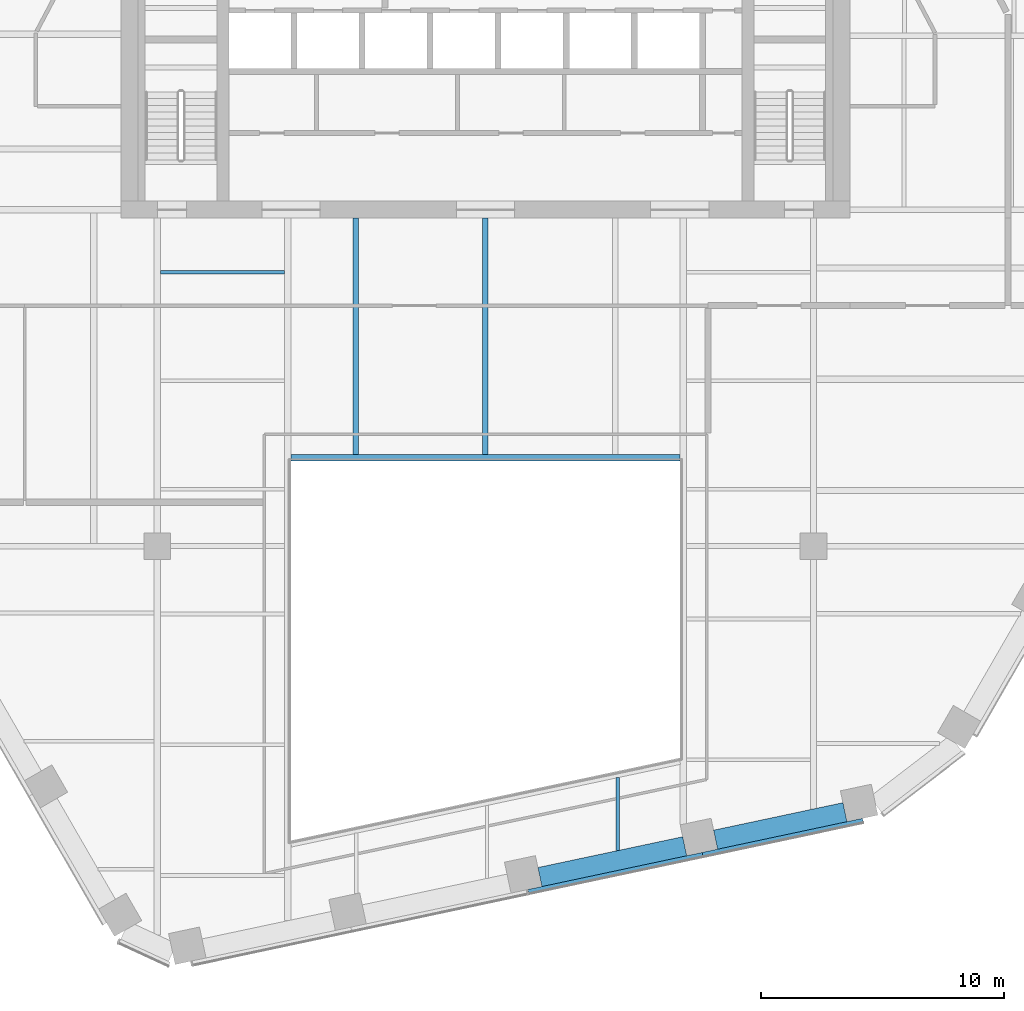
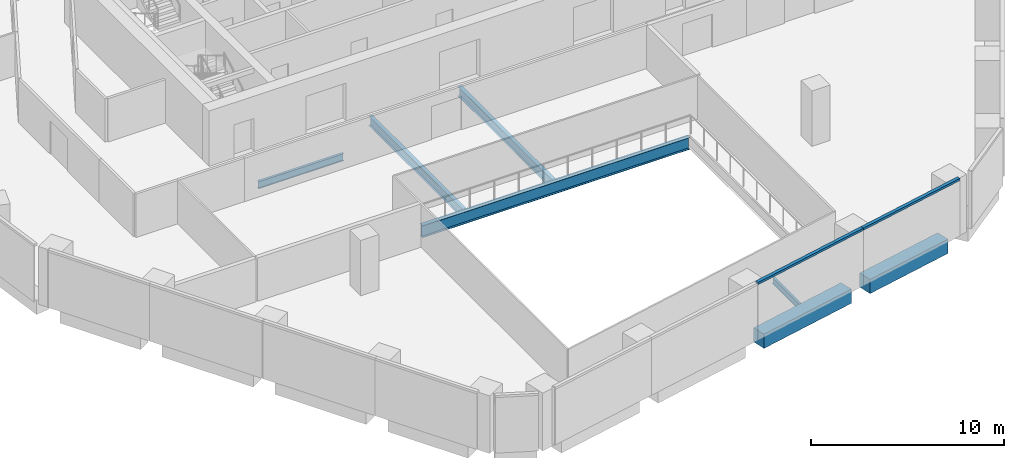
# One storey, part 4 of 16: 7 beams, 2 members, 1 element without a shape of its own.
"""IFC4 building model written with IfcOpenShell, lengths in metres."""

import ifcopenshell
import ifcopenshell.guid

model = None  # the IFC model being written
_history = None  # IfcOwnerHistory: only IFC2X3 demands one
_inside = {}  # id of a spatial element -> (the spatial element, [elements in it])
_under = {}  # id of a project, library or spatial element -> (it, [spatial elements below it])
_declared = {}  # id of a project -> (the project, [libraries it declares])
_typed = {}  # id of a type object -> (the type object, [elements of that type])
_made_of = {}  # id of a material, layer set ... -> (it, [elements and type objects made of it])


def new_model(schema):
    """Start an empty IFC model of exactly this schema.

    Asked for "IFC4X3", IfcOpenShell would pick the latest addendum, in which some entities
    have other attributes; the version numbers below select the first issue.
    IFC2X3 requires an IfcOwnerHistory on every rooted entity: one is made here for all.
    """
    global model, _history
    if schema == "IFC4X3":
        model = ifcopenshell.file(schema_version=(4, 3, 0, 0))
    else:
        model = ifcopenshell.file(schema=schema)
    _inside.clear()
    _under.clear()
    _declared.clear()
    _typed.clear()
    _made_of.clear()
    _history = None
    if model.schema == "IFC2X3":
        org = make("IfcOrganization", Name="unknown")
        user = make(
            "IfcPersonAndOrganization",
            ThePerson=make("IfcPerson", FamilyName="unknown"),
            TheOrganization=org,
        )
        app = make(
            "IfcApplication",
            ApplicationDeveloper=org,
            Version="unknown",
            ApplicationFullName="unknown",
            ApplicationIdentifier="unknown",
        )
        _history = make(
            "IfcOwnerHistory",
            OwningUser=user,
            OwningApplication=app,
            ChangeAction="ADDED",
            CreationDate=0,
        )
    return model


def make(cls, **values):
    """One entity of the class cls with the attributes given. An attribute that is None is left unset."""
    return model.create_entity(
        cls, **{name: value for name, value in values.items() if value is not None}
    )


def rooted(cls, **values):
    """An entity with a GlobalId (a new one), such as an element, a storey or a relation."""
    return make(cls, GlobalId=ifcopenshell.guid.new(), OwnerHistory=_history, **values)


def si_unit(unit_type, name, prefix=None):
    """IfcSIUnit, for example si_unit("LENGTHUNIT", "METRE", prefix="MILLI")."""
    return make("IfcSIUnit", UnitType=unit_type, Prefix=prefix, Name=name)


def assignment(units):
    """IfcUnitAssignment: the units of a project."""
    return None if units is None else make("IfcUnitAssignment", Units=units)


def point(xyz):
    """IfcCartesianPoint."""
    return None if xyz is None else make("IfcCartesianPoint", Coordinates=xyz)


def direction(xyz):
    """IfcDirection."""
    return None if xyz is None else make("IfcDirection", DirectionRatios=xyz)


def frame(location, z_axis=None, x_axis=None):
    """IfcAxis2Placement3D, a coordinate frame: its origin and axes. An axis left out is left unset."""
    return make(
        "IfcAxis2Placement3D",
        Location=point(location),
        Axis=direction(z_axis),
        RefDirection=direction(x_axis),
    )


def frame_2d(location, x_axis=None):
    """IfcAxis2Placement2D, a coordinate frame in the plane: its origin and x axis."""
    return make(
        "IfcAxis2Placement2D", Location=point(location), RefDirection=direction(x_axis)
    )


def origin():
    """The frame at (0, 0, 0) with its axes left unset."""
    return frame((0.0, 0.0, 0.0))


def origin_2d():
    """The frame at (0, 0) in the plane with its x axis left unset."""
    return frame_2d((0.0, 0.0))


def place(relative_to, where):
    """IfcLocalPlacement: puts the frame where relative to a parent placement (None: the world)."""
    return make(
        "IfcLocalPlacement", PlacementRelTo=relative_to, RelativePlacement=where
    )


def context(
    kind, dimensions, precision=None, world=None, true_north=None, identifier=None
):
    """IfcGeometricRepresentationContext, for example the 3D "Model" context."""
    return make(
        "IfcGeometricRepresentationContext",
        ContextIdentifier=identifier,
        ContextType=kind,
        CoordinateSpaceDimension=dimensions,
        Precision=precision,
        WorldCoordinateSystem=world,
        TrueNorth=true_north,
    )


def subcontext(parent, identifier, kind, view, scale=None):
    """IfcGeometricRepresentationSubContext, for example "Body" below "Model"."""
    return make(
        "IfcGeometricRepresentationSubContext",
        ContextIdentifier=identifier,
        ContextType=kind,
        ParentContext=parent,
        TargetScale=scale,
        TargetView=view,
    )


def project(units=None, contexts=None):
    """IfcProject with its units and contexts."""
    return rooted(
        "IfcProject",
        Name="project",
        RepresentationContexts=contexts,
        UnitsInContext=assignment(units),
    )


def spatial(cls, under=None, at=None, **own):
    """A site, building, storey or space (cls), placed at a placement, below another one or the project."""
    s = rooted(cls, ObjectPlacement=at, **own)
    if under is not None:
        _under.setdefault(under.id(), (under, []))[1].append(s)
    return s


def profile(cls, at=None, kind="AREA", **sizes):
    """A parametric profile (cls). Its sizes go by their IFC names, for example OverallWidth=200.0."""
    return make(cls, ProfileType=kind, Position=at, **sizes)


def rectangle(**sizes):
    """IfcRectangleProfileDef."""
    return profile("IfcRectangleProfileDef", **sizes)


def i_section(**sizes):
    """IfcIShapeProfileDef."""
    return profile("IfcIShapeProfileDef", **sizes)


def extrude(swept, where, along, depth):
    """IfcExtrudedAreaSolid: the profile swept, set in the frame where, extruded along a direction by depth."""
    return make(
        "IfcExtrudedAreaSolid",
        SweptArea=swept,
        Position=where,
        ExtrudedDirection=direction(along),
        Depth=depth,
    )


def shape(context_of_items, identifier, shape_type, items):
    """IfcShapeRepresentation: the items that make up one representation, for example the "Body"."""
    return make(
        "IfcShapeRepresentation",
        ContextOfItems=context_of_items,
        RepresentationIdentifier=identifier,
        RepresentationType=shape_type,
        Items=items,
    )


def material(Name=None, Category=None):
    """IfcMaterial."""
    return make("IfcMaterial", Name=Name, Category=Category)


def layer(
    of_material, thickness, ventilated=None, Name=None, Category=None, Priority=None
):
    """IfcMaterialLayer: one layer of a wall or slab, of a material (None: an air gap)."""
    return make(
        "IfcMaterialLayer",
        Material=of_material,
        LayerThickness=thickness,
        IsVentilated=ventilated,
        Name=Name,
        Category=Category,
        Priority=Priority,
    )


def layer_set(layers, Name=None):
    """IfcMaterialLayerSet."""
    return make("IfcMaterialLayerSet", MaterialLayers=layers, LayerSetName=Name)


def material_profile(
    of_material, cross_section, Name=None, Category=None, Priority=None
):
    """IfcMaterialProfile: a cross section and its material."""
    return make(
        "IfcMaterialProfile",
        Name=Name,
        Material=of_material,
        Profile=cross_section,
        Priority=Priority,
        Category=Category,
    )


def profile_set(profiles, Name=None, composite=None):
    """IfcMaterialProfileSet."""
    return make(
        "IfcMaterialProfileSet",
        Name=Name,
        MaterialProfiles=profiles,
        CompositeProfile=composite,
    )


def made_of(thing, what):
    """Note that an element or type object is made of a material, layer set ...; save() writes the relation."""
    if what is not None:
        _made_of.setdefault(what.id(), (what, []))[1].append(thing)
    return thing


def type_object(cls, material=None, **own):
    """A type object (cls), such as IfcWallType, which elements share."""
    return made_of(rooted(cls, **own), material)


def element(
    cls,
    number,
    at=None,
    inside=None,
    cuts=None,
    type_object=None,
    material=None,
    context=None,
    identifier="Body",
    shape_type=None,
    held_by="IfcProductDefinitionShape",
    body=None,
    shapes=None,
    **own,
):
    """One element of the class cls, such as IfcWall. Its Tag is "e" and its number.

    at: its placement. inside: the storey or other place that contains it. cuts: it is an
    opening in that element (IfcRelVoidsElement). A single representation is given by context,
    identifier, shape_type and body (its items); several are given by shapes. held_by: the class
    of the entity that holds the representations. save() writes the other relations.
    """
    e = rooted(cls, Tag="e%d" % number, ObjectPlacement=at, **own)
    if body is not None:
        shapes = [shape(context, identifier, shape_type, body)]
    if shapes is not None:
        e.Representation = make(held_by, Representations=shapes)
    if inside is not None:
        _inside.setdefault(inside.id(), (inside, []))[1].append(e)
    if cuts is not None:
        rooted(
            "IfcRelVoidsElement", RelatingBuildingElement=cuts, RelatedOpeningElement=e
        )
    if type_object is not None:
        _typed.setdefault(type_object.id(), (type_object, []))[1].append(e)
    return made_of(e, material)


def aggregate(whole, parts):
    """IfcRelAggregates: a whole, such as a stair, and the parts it consists of."""
    return rooted("IfcRelAggregates", RelatingObject=whole, RelatedObjects=parts)


def save(model, path):
    """Write the relations noted so far, then the file.

    IfcRelAggregates (storeys below a building ...), IfcRelContainedInSpatialStructure (elements
    in a storey), IfcRelDefinesByType, IfcRelAssociatesMaterial and IfcRelDeclares: one each for
    every whole, place, type object, material and project.
    """
    for whole, parts in _under.values():
        aggregate(whole, parts)
    for where, things in _inside.values():
        rooted(
            "IfcRelContainedInSpatialStructure",
            RelatedElements=things,
            RelatingStructure=where,
        )
    for kind, things in _typed.values():
        rooted("IfcRelDefinesByType", RelatedObjects=things, RelatingType=kind)
    for what, things in _made_of.values():
        rooted("IfcRelAssociatesMaterial", RelatedObjects=things, RelatingMaterial=what)
    for by, libraries in _declared.values():
        rooted("IfcRelDeclares", RelatingContext=by, RelatedDefinitions=libraries)
    model.write(path)


model = new_model("IFC4")

# Units and contexts
model_context = context("Model", 3, precision=1e-05, world=origin(), true_north=direction((0.0, 1.0)))
body_context = subcontext(model_context, "Body", "Model", "MODEL_VIEW")
ifc_project = project(units=[si_unit("LENGTHUNIT", "METRE"), si_unit("AREAUNIT", "SQUARE_METRE"), si_unit("VOLUMEUNIT", "CUBIC_METRE"), si_unit("PLANEANGLEUNIT", "RADIAN"), si_unit("MASSUNIT", "GRAM", prefix="KILO")], contexts=[model_context])

# Site, building, storey
site_placement = place(None, origin())
site = spatial("IfcSite", under=ifc_project, at=site_placement, CompositionType="ELEMENT")
building_placement = place(site_placement, origin())
building = spatial("IfcBuilding", under=site, at=building_placement, Name="Isthmus Gate Tower", CompositionType="ELEMENT")
storey_placement = place(building_placement, frame((0.0, 0.0, 170.800048828125)))
storey = spatial("IfcBuildingStorey", under=building, at=storey_placement, Name="L42", CompositionType="ELEMENT", Elevation=170.800048828125)

# Curtain wall, members
ifc_material_1 = material(Name="Aluminium, pale champagne anodised", Category="aluminium")
ifc_layer = layer(ifc_material_1, 0.199951171875)
ifc_layer_set = layer_set([ifc_layer], Name="CW-1 UNITISED CURTAIN WALL 200 DEEP")
curtain_wall_type = type_object("IfcCurtainWallType", Name="CW-1 UNITISED CURTAIN WALL 200 DEEP", PredefinedType="NOTDEFINED", material=ifc_layer_set)
curtain_wall_placement = place(storey_placement, origin())
curtain_wall = element("IfcCurtainWall", 1, at=curtain_wall_placement, inside=storey, type_object=curtain_wall_type, Name="CW-1 S L42", PredefinedType="NOTDEFINED")
ifc_material_2 = material(Name="Aluminium, pale champagne anodised", Category="aluminium")
ifc_material_profile_1 = material_profile(ifc_material_2, rectangle(XDim=0.199951171875, YDim=0.139892578125, at=origin_2d()), Name="200x140")
ifc_profile_set_1 = profile_set([ifc_material_profile_1], Name="Aluminium, pale champagne anodised")
member_type = type_object("IfcMemberType", Name="CW-1 TRANSOM 200 X 140", PredefinedType="USERDEFINED", material=ifc_profile_set_1)
member_1_placement = place(storey_placement, frame((1.76953125, -27.72607421875, 3.579833984375), z_axis=(0.978146152746, 0.207918502948, 0.0), x_axis=(-0.207918502948, 0.978146152746, 0.0)))
member_1 = element("IfcMember", 2, at=member_1_placement, type_object=member_type, Name="CW-1 transom", ObjectType="TRANSOM", PredefinedType="USERDEFINED", context=body_context, shape_type="SweptSolid", body=[
    extrude(rectangle(XDim=0.199951171875, YDim=0.139892578125, at=origin_2d()), origin(), (0.0, 0.0, 1.0), 7.33056640625),
])
member_2_placement = place(storey_placement, frame((8.93994140625, -26.201904296875, 3.579833984375), z_axis=(0.978151394347, 0.207893842469, 0.0), x_axis=(-0.207893842469, 0.978151394347, 0.0)))
member_2 = element("IfcMember", 3, at=member_2_placement, type_object=member_type, Name="CW-1 transom", ObjectType="TRANSOM", PredefinedType="USERDEFINED", context=body_context, shape_type="SweptSolid", body=[
    extrude(rectangle(XDim=0.199951171875, YDim=0.139892578125, at=origin_2d()), origin(), (0.0, 0.0, 1.0), 6.74072265625),
])
aggregate(curtain_wall, [member_1, member_2])

# Beams
ifc_material_3 = material(Name="Concrete f'c 60 MPa", Category="concrete")
ifc_material_profile_2 = material_profile(ifc_material_3, rectangle(XDim=0.800048828125, YDim=0.89990234375, at=origin_2d()), Name="RC 800X900")
ifc_profile_set_2 = profile_set([ifc_material_profile_2], Name="Concrete f'c 60 MPa")
beam_type_1 = type_object("IfcBeamType", Name="RC SPANDREL 800 X 900", PredefinedType="SPANDREL", material=ifc_profile_set_2)
beam_1_placement = place(storey_placement, frame((14.793701171875, -24.446533203125, -0.449951171875), z_axis=(-0.978150410773, -0.207898470186, 0.0), x_axis=(0.207898470186, -0.978150410773, 0.0)))
element("IfcBeam", 4, at=beam_1_placement, inside=storey, type_object=beam_type_1, Name="str-spandrel-L42-11", PredefinedType="SPANDREL", context=body_context, shape_type="SweptSolid", body=[
    extrude(rectangle(XDim=0.800048828125, YDim=0.89990234375, at=origin_2d()), origin(), (0.0, 0.0, 1.0), 5.440673828125),
])
beam_2_placement = place(storey_placement, frame((8.2001953125, -25.84814453125, -0.449951171875), z_axis=(-0.978146012851, -0.207919161079, 0.0), x_axis=(0.207919161079, -0.978146012851, 0.0)))
element("IfcBeam", 5, at=beam_2_placement, inside=storey, type_object=beam_type_1, Name="str-spandrel-L42-12", PredefinedType="SPANDREL", context=body_context, shape_type="SweptSolid", body=[
    extrude(rectangle(XDim=0.800048828125, YDim=0.89990234375, at=origin_2d()), origin(), (0.0, 0.0, 1.0), 6.090576171875),
])
ifc_material_4 = material(Name="Structural steel ASTM A992 Gr 50", Category="steel")
ifc_material_profile_3 = material_profile(ifc_material_4, i_section(OverallWidth=0.1396484375, OverallDepth=0.4033203125, WebThickness=0.00634765625, FlangeThickness=0.010986328125, at=origin_2d()), Name="W16X31")
ifc_profile_set_3 = profile_set([ifc_material_profile_3], Name="Structural steel ASTM A992 Gr 50")
beam_type_2 = type_object("IfcBeamType", Name="STEEL FLOOR BEAM W16X31", PredefinedType="JOIST", material=ifc_profile_set_3)
beam_3_placement = place(storey_placement, frame((5.443115234375, -26.025146484375, -0.3515625), z_axis=(0.0, 1.0, 0.0), x_axis=(-1.0, 0.0, 0.0)))
element("IfcBeam", 6, at=beam_3_placement, inside=storey, type_object=beam_type_2, Name="str-beam-L42-07-02", PredefinedType="JOIST", context=body_context, shape_type="SweptSolid", body=[
    extrude(i_section(OverallWidth=0.1396484375, OverallDepth=0.4033203125, WebThickness=0.00634765625, FlangeThickness=0.010986328125, at=origin_2d()), origin(), (0.0, 0.0, 1.0), 2.998779296875),
])
ifc_material_5 = material(Name="Structural steel ASTM A992 Gr 50", Category="steel")
ifc_material_profile_4 = material_profile(ifc_material_5, i_section(OverallWidth=0.15234375, OverallDepth=0.45068359375, WebThickness=0.0078125, FlangeThickness=0.010986328125, at=origin_2d()), Name="W18X35")
ifc_profile_set_4 = profile_set([ifc_material_profile_4], Name="Structural steel ASTM A992 Gr 50")
beam_type_3 = type_object("IfcBeamType", Name="STEEL FLOOR BEAM W18X35", PredefinedType="JOIST", material=ifc_profile_set_4)
beam_4_placement = place(storey_placement, frame((-13.3681640625, -2.232421875, -0.37548828125), z_axis=(1.0, 0.0, 0.0), x_axis=(0.0, 1.0, 0.0)))
element("IfcBeam", 7, at=beam_4_placement, inside=storey, type_object=beam_type_3, Name="str-beam-L42-04-02", PredefinedType="JOIST", context=body_context, shape_type="SweptSolid", body=[
    extrude(i_section(OverallWidth=0.15234375, OverallDepth=0.45068359375, WebThickness=0.0078125, FlangeThickness=0.010986328125, at=origin_2d()), origin(), (0.0, 0.0, 1.0), 5.1015625),
])
ifc_material_6 = material(Name="Structural steel ASTM A992 Gr 50", Category="steel")
ifc_material_profile_5 = material_profile(ifc_material_6, i_section(OverallWidth=0.228515625, OverallDepth=0.603271484375, WebThickness=0.010986328125, FlangeThickness=0.014404296875, at=origin_2d()), Name="W24X68")
ifc_profile_set_5 = profile_set([ifc_material_profile_5], Name="Structural steel ASTM A992 Gr 50")
beam_type_4 = type_object("IfcBeamType", Name="STEEL FLOOR BEAM W24X68", PredefinedType="JOIST", material=ifc_profile_set_5)
for number, where, z_axis, x_axis, name in (
    (8, (-5.333251953125, -9.7333984375, -0.45166015625), (0.0, 1.0, 0.0), (-1.0, 0.0, 0.0), "str-beam-L42-06-00"),
    (9, (0.0, -9.7333984375, -0.45166015625), (0.0, 1.0, 0.0), (-1.0, 0.0, 0.0), "str-beam-L42-06-01"),
):
    element("IfcBeam", number, at=place(storey_placement, frame(where, z_axis=z_axis, x_axis=x_axis)), inside=storey, type_object=beam_type_4, Name=name, PredefinedType="JOIST", context=body_context, shape_type="SweptSolid", body=[
        extrude(i_section(OverallWidth=0.228515625, OverallDepth=0.603271484375, WebThickness=0.010986328125, FlangeThickness=0.014404296875, at=origin_2d()), origin(), (0.0, 0.0, 1.0), 9.7333984375),
    ])
ifc_material_7 = material(Name="Structural steel ASTM A992 Gr 50", Category="steel")
ifc_material_profile_6 = material_profile(ifc_material_7, i_section(OverallWidth=0.2666015625, OverallDepth=0.7587890625, WebThickness=0.014404296875, FlangeThickness=0.01904296875, at=origin_2d()), Name="W30X108")
ifc_profile_set_6 = profile_set([ifc_material_profile_6], Name="Structural steel ASTM A992 Gr 50")
beam_type_5 = type_object("IfcBeamType", Name="STEEL TRIMMER W30X108", PredefinedType="BEAM", material=ifc_profile_set_6)
beam_5_placement = place(storey_placement, frame((8.0, -9.86669921875, -0.529541015625), z_axis=(-1.0, 0.0, 0.0), x_axis=(0.0, -1.0, 0.0)))
element("IfcBeam", 10, at=beam_5_placement, inside=storey, type_object=beam_type_5, Name="str-trimmer-L42-04", PredefinedType="BEAM", context=body_context, shape_type="SweptSolid", body=[
    extrude(i_section(OverallWidth=0.2666015625, OverallDepth=0.7587890625, WebThickness=0.014404296875, FlangeThickness=0.01904296875, at=origin_2d()), origin(), (0.0, 0.0, 1.0), 16.0),
])

save(model, "model.ifc")
